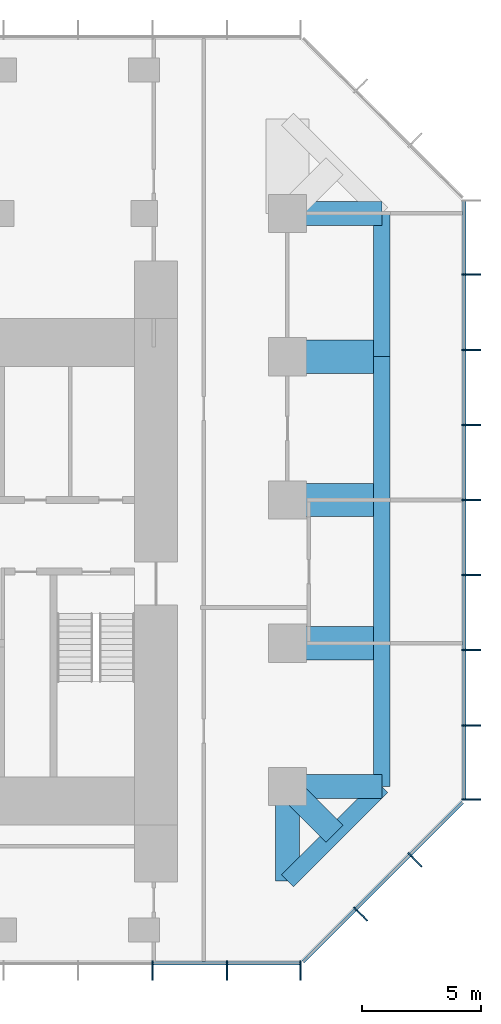
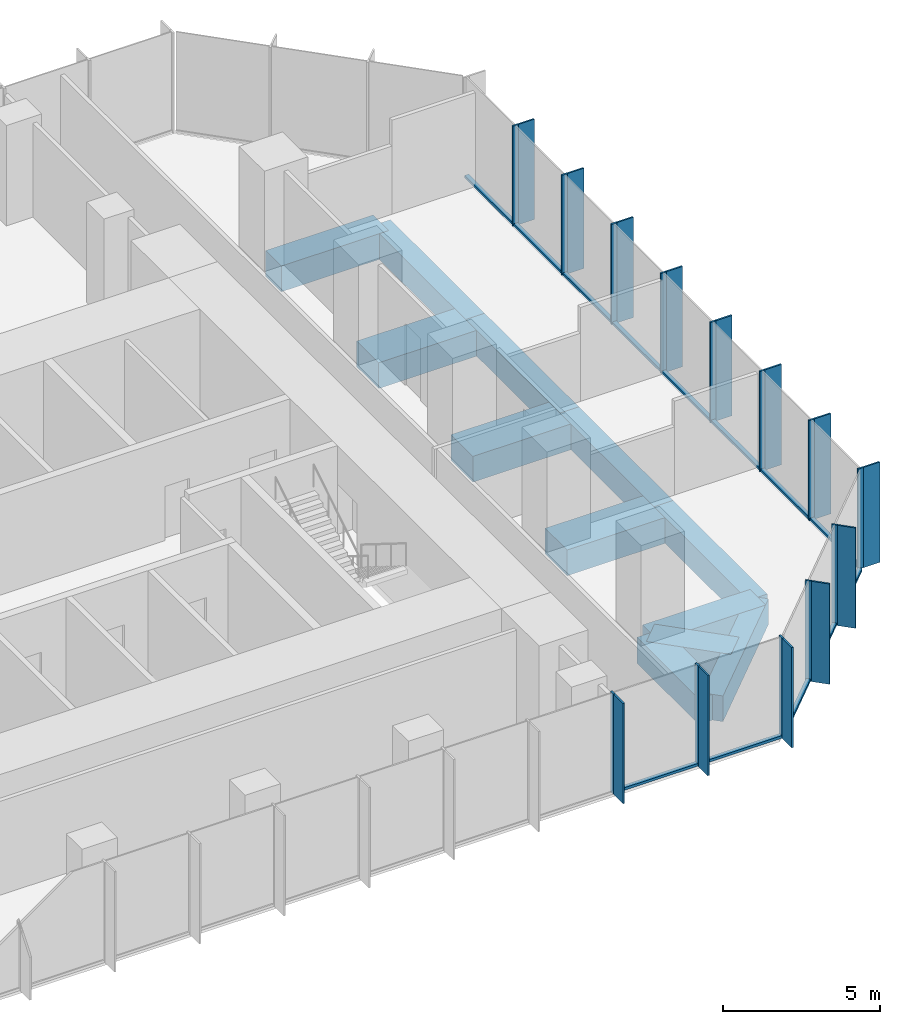
# One storey, part 4 of 10: 39 members, 12 beams, 3 elements without a shape of their own.
"""IFC4 building model written with IfcOpenShell, lengths in metres."""

import ifcopenshell
import ifcopenshell.guid

model = None  # the IFC model being written
_history = None  # IfcOwnerHistory: only IFC2X3 demands one
_inside = {}  # id of a spatial element -> (the spatial element, [elements in it])
_under = {}  # id of a project, library or spatial element -> (it, [spatial elements below it])
_declared = {}  # id of a project -> (the project, [libraries it declares])
_typed = {}  # id of a type object -> (the type object, [elements of that type])
_made_of = {}  # id of a material, layer set ... -> (it, [elements and type objects made of it])


def new_model(schema):
    """Start an empty IFC model of exactly this schema.

    Asked for "IFC4X3", IfcOpenShell would pick the latest addendum, in which some entities
    have other attributes; the version numbers below select the first issue.
    IFC2X3 requires an IfcOwnerHistory on every rooted entity: one is made here for all.
    """
    global model, _history
    if schema == "IFC4X3":
        model = ifcopenshell.file(schema_version=(4, 3, 0, 0))
    else:
        model = ifcopenshell.file(schema=schema)
    _inside.clear()
    _under.clear()
    _declared.clear()
    _typed.clear()
    _made_of.clear()
    _history = None
    if model.schema == "IFC2X3":
        org = make("IfcOrganization", Name="unknown")
        user = make(
            "IfcPersonAndOrganization",
            ThePerson=make("IfcPerson", FamilyName="unknown"),
            TheOrganization=org,
        )
        app = make(
            "IfcApplication",
            ApplicationDeveloper=org,
            Version="unknown",
            ApplicationFullName="unknown",
            ApplicationIdentifier="unknown",
        )
        _history = make(
            "IfcOwnerHistory",
            OwningUser=user,
            OwningApplication=app,
            ChangeAction="ADDED",
            CreationDate=0,
        )
    return model


def make(cls, **values):
    """One entity of the class cls with the attributes given. An attribute that is None is left unset."""
    return model.create_entity(
        cls, **{name: value for name, value in values.items() if value is not None}
    )


def rooted(cls, **values):
    """An entity with a GlobalId (a new one), such as an element, a storey or a relation."""
    return make(cls, GlobalId=ifcopenshell.guid.new(), OwnerHistory=_history, **values)


def si_unit(unit_type, name, prefix=None):
    """IfcSIUnit, for example si_unit("LENGTHUNIT", "METRE", prefix="MILLI")."""
    return make("IfcSIUnit", UnitType=unit_type, Prefix=prefix, Name=name)


def assignment(units):
    """IfcUnitAssignment: the units of a project."""
    return None if units is None else make("IfcUnitAssignment", Units=units)


def point(xyz):
    """IfcCartesianPoint."""
    return None if xyz is None else make("IfcCartesianPoint", Coordinates=xyz)


def direction(xyz):
    """IfcDirection."""
    return None if xyz is None else make("IfcDirection", DirectionRatios=xyz)


def frame(location, z_axis=None, x_axis=None):
    """IfcAxis2Placement3D, a coordinate frame: its origin and axes. An axis left out is left unset."""
    return make(
        "IfcAxis2Placement3D",
        Location=point(location),
        Axis=direction(z_axis),
        RefDirection=direction(x_axis),
    )


def frame_2d(location, x_axis=None):
    """IfcAxis2Placement2D, a coordinate frame in the plane: its origin and x axis."""
    return make(
        "IfcAxis2Placement2D", Location=point(location), RefDirection=direction(x_axis)
    )


def origin():
    """The frame at (0, 0, 0) with its axes left unset."""
    return frame((0.0, 0.0, 0.0))


def origin_2d():
    """The frame at (0, 0) in the plane with its x axis left unset."""
    return frame_2d((0.0, 0.0))


def place(relative_to, where):
    """IfcLocalPlacement: puts the frame where relative to a parent placement (None: the world)."""
    return make(
        "IfcLocalPlacement", PlacementRelTo=relative_to, RelativePlacement=where
    )


def context(
    kind, dimensions, precision=None, world=None, true_north=None, identifier=None
):
    """IfcGeometricRepresentationContext, for example the 3D "Model" context."""
    return make(
        "IfcGeometricRepresentationContext",
        ContextIdentifier=identifier,
        ContextType=kind,
        CoordinateSpaceDimension=dimensions,
        Precision=precision,
        WorldCoordinateSystem=world,
        TrueNorth=true_north,
    )


def subcontext(parent, identifier, kind, view, scale=None):
    """IfcGeometricRepresentationSubContext, for example "Body" below "Model"."""
    return make(
        "IfcGeometricRepresentationSubContext",
        ContextIdentifier=identifier,
        ContextType=kind,
        ParentContext=parent,
        TargetScale=scale,
        TargetView=view,
    )


def project(units=None, contexts=None):
    """IfcProject with its units and contexts."""
    return rooted(
        "IfcProject",
        Name="project",
        RepresentationContexts=contexts,
        UnitsInContext=assignment(units),
    )


def spatial(cls, under=None, at=None, **own):
    """A site, building, storey or space (cls), placed at a placement, below another one or the project."""
    s = rooted(cls, ObjectPlacement=at, **own)
    if under is not None:
        _under.setdefault(under.id(), (under, []))[1].append(s)
    return s


def profile(cls, at=None, kind="AREA", **sizes):
    """A parametric profile (cls). Its sizes go by their IFC names, for example OverallWidth=200.0."""
    return make(cls, ProfileType=kind, Position=at, **sizes)


def rectangle(**sizes):
    """IfcRectangleProfileDef."""
    return profile("IfcRectangleProfileDef", **sizes)


def extrude(swept, where, along, depth):
    """IfcExtrudedAreaSolid: the profile swept, set in the frame where, extruded along a direction by depth."""
    return make(
        "IfcExtrudedAreaSolid",
        SweptArea=swept,
        Position=where,
        ExtrudedDirection=direction(along),
        Depth=depth,
    )


def shape(context_of_items, identifier, shape_type, items):
    """IfcShapeRepresentation: the items that make up one representation, for example the "Body"."""
    return make(
        "IfcShapeRepresentation",
        ContextOfItems=context_of_items,
        RepresentationIdentifier=identifier,
        RepresentationType=shape_type,
        Items=items,
    )


def material(Name=None, Category=None):
    """IfcMaterial."""
    return make("IfcMaterial", Name=Name, Category=Category)


def layer(
    of_material, thickness, ventilated=None, Name=None, Category=None, Priority=None
):
    """IfcMaterialLayer: one layer of a wall or slab, of a material (None: an air gap)."""
    return make(
        "IfcMaterialLayer",
        Material=of_material,
        LayerThickness=thickness,
        IsVentilated=ventilated,
        Name=Name,
        Category=Category,
        Priority=Priority,
    )


def layer_set(layers, Name=None):
    """IfcMaterialLayerSet."""
    return make("IfcMaterialLayerSet", MaterialLayers=layers, LayerSetName=Name)


def material_profile(
    of_material, cross_section, Name=None, Category=None, Priority=None
):
    """IfcMaterialProfile: a cross section and its material."""
    return make(
        "IfcMaterialProfile",
        Name=Name,
        Material=of_material,
        Profile=cross_section,
        Priority=Priority,
        Category=Category,
    )


def profile_set(profiles, Name=None, composite=None):
    """IfcMaterialProfileSet."""
    return make(
        "IfcMaterialProfileSet",
        Name=Name,
        MaterialProfiles=profiles,
        CompositeProfile=composite,
    )


def made_of(thing, what):
    """Note that an element or type object is made of a material, layer set ...; save() writes the relation."""
    if what is not None:
        _made_of.setdefault(what.id(), (what, []))[1].append(thing)
    return thing


def type_object(cls, material=None, **own):
    """A type object (cls), such as IfcWallType, which elements share."""
    return made_of(rooted(cls, **own), material)


def element(
    cls,
    number,
    at=None,
    inside=None,
    cuts=None,
    type_object=None,
    material=None,
    context=None,
    identifier="Body",
    shape_type=None,
    held_by="IfcProductDefinitionShape",
    body=None,
    shapes=None,
    **own,
):
    """One element of the class cls, such as IfcWall. Its Tag is "e" and its number.

    at: its placement. inside: the storey or other place that contains it. cuts: it is an
    opening in that element (IfcRelVoidsElement). A single representation is given by context,
    identifier, shape_type and body (its items); several are given by shapes. held_by: the class
    of the entity that holds the representations. save() writes the other relations.
    """
    e = rooted(cls, Tag="e%d" % number, ObjectPlacement=at, **own)
    if body is not None:
        shapes = [shape(context, identifier, shape_type, body)]
    if shapes is not None:
        e.Representation = make(held_by, Representations=shapes)
    if inside is not None:
        _inside.setdefault(inside.id(), (inside, []))[1].append(e)
    if cuts is not None:
        rooted(
            "IfcRelVoidsElement", RelatingBuildingElement=cuts, RelatedOpeningElement=e
        )
    if type_object is not None:
        _typed.setdefault(type_object.id(), (type_object, []))[1].append(e)
    return made_of(e, material)


def aggregate(whole, parts):
    """IfcRelAggregates: a whole, such as a stair, and the parts it consists of."""
    return rooted("IfcRelAggregates", RelatingObject=whole, RelatedObjects=parts)


def save(model, path):
    """Write the relations noted so far, then the file.

    IfcRelAggregates (storeys below a building ...), IfcRelContainedInSpatialStructure (elements
    in a storey), IfcRelDefinesByType, IfcRelAssociatesMaterial and IfcRelDeclares: one each for
    every whole, place, type object, material and project.
    """
    for whole, parts in _under.values():
        aggregate(whole, parts)
    for where, things in _inside.values():
        rooted(
            "IfcRelContainedInSpatialStructure",
            RelatedElements=things,
            RelatingStructure=where,
        )
    for kind, things in _typed.values():
        rooted("IfcRelDefinesByType", RelatedObjects=things, RelatingType=kind)
    for what, things in _made_of.values():
        rooted("IfcRelAssociatesMaterial", RelatedObjects=things, RelatingMaterial=what)
    for by, libraries in _declared.values():
        rooted("IfcRelDeclares", RelatingContext=by, RelatedDefinitions=libraries)
    model.write(path)


model = new_model("IFC4")

# Units and contexts
model_context = context("Model", 3, precision=1e-05, world=origin(), true_north=direction((0.0, 1.0)))
body_context = subcontext(model_context, "Body", "Model", "MODEL_VIEW")
ifc_project = project(units=[si_unit("LENGTHUNIT", "METRE"), si_unit("AREAUNIT", "SQUARE_METRE"), si_unit("VOLUMEUNIT", "CUBIC_METRE"), si_unit("PLANEANGLEUNIT", "RADIAN"), si_unit("MASSUNIT", "GRAM", prefix="KILO")], contexts=[model_context])

# Site, building, storey
site_placement = place(None, origin())
site = spatial("IfcSite", under=ifc_project, at=site_placement, CompositionType="ELEMENT")
building_placement = place(site_placement, origin())
building = spatial("IfcBuilding", under=site, at=building_placement, Name="Highveld Stack Headquarters", CompositionType="ELEMENT")
storey_placement = place(building_placement, frame((0.0, 0.0, 256.699951171875)))
storey = spatial("IfcBuildingStorey", under=building, at=storey_placement, Name="L63", CompositionType="ELEMENT", Elevation=256.699951171875)

# Beams
ifc_material_1 = material(Name="Concrete C60/75", Category="concrete")
ifc_material_profile_1 = material_profile(ifc_material_1, rectangle(XDim=1.0, YDim=1.0, at=origin_2d()), Name="RC 1000x1000")
ifc_profile_set_1 = profile_set([ifc_material_profile_1], Name="Concrete C60/75")
beam_type_1 = type_object("IfcBeamType", Name="CANTILEVER RIB RC 1000x1000", PredefinedType="USERDEFINED", material=ifc_profile_set_1)
for number, where, z_axis, x_axis, name in (
    (1, (24.0, -6.0, -0.75), (1.0, 0.0, 0.0), (0.0, 1.0, 0.0), "Cantilever rib 10/D L63"),
    (2, (24.0, -6.0, -0.75), (0.0, -1.0, 0.0), (1.0, 0.0, 0.0), "Cantilever rib 10/D L63"),
):
    element("IfcBeam", number, at=place(storey_placement, frame(where, z_axis=z_axis, x_axis=x_axis)), inside=storey, type_object=beam_type_1, Name=name, ObjectType="CANTILEVER RIB", PredefinedType="USERDEFINED", context=body_context, shape_type="SweptSolid", body=[
        extrude(rectangle(XDim=1.0, YDim=1.0, at=origin_2d()), origin(), (0.0, 0.0, 1.0), 3.949951171875),
    ])
beam_1_placement = place(storey_placement, frame((24.0, -6.0, -0.75), z_axis=(0.707106781187, -0.707106781187, 0.0), x_axis=(0.707106781187, 0.707106781187, 0.0)))
element("IfcBeam", 3, at=beam_1_placement, inside=storey, type_object=beam_type_1, Name="Cantilever rib 10/D L63", ObjectType="CANTILEVER RIB", PredefinedType="USERDEFINED", context=body_context, shape_type="SweptSolid", body=[
    extrude(rectangle(XDim=1.0, YDim=1.0, at=origin_2d()), origin(), (0.0, 0.0, 1.0), 2.793212890625),
])
beam_2_placement = place(storey_placement, frame((24.0, 18.0, -0.75), z_axis=(1.0, 0.0, 0.0), x_axis=(0.0, 1.0, 0.0)))
element("IfcBeam", 4, at=beam_2_placement, inside=storey, type_object=beam_type_1, Name="Cantilever rib 10/H L63", ObjectType="CANTILEVER RIB", PredefinedType="USERDEFINED", context=body_context, shape_type="SweptSolid", body=[
    extrude(rectangle(XDim=1.0, YDim=1.0, at=origin_2d()), origin(), (0.0, 0.0, 1.0), 3.949951171875),
])
ifc_material_2 = material(Name="Concrete C60/75", Category="concrete")
ifc_material_profile_2 = material_profile(ifc_material_2, rectangle(XDim=1.39990234375, YDim=1.0, at=origin_2d()), Name="RC 1400x1000")
ifc_profile_set_2 = profile_set([ifc_material_profile_2], Name="Concrete C60/75")
beam_type_2 = type_object("IfcBeamType", Name="CANTILEVER RIB RC 1400x1000", PredefinedType="USERDEFINED", material=ifc_profile_set_2)
for number, where, z_axis, x_axis, name in (
    (5, (24.0, 0.0, -0.75), (1.0, 0.0, 0.0), (0.0, 1.0, 0.0), "Cantilever rib 10/E L63"),
    (6, (24.0, 6.0, -0.75), (1.0, 0.0, 0.0), (0.0, 1.0, 0.0), "Cantilever rib 10/F L63"),
    (7, (24.0, 12.0, -0.75), (1.0, 0.0, 0.0), (0.0, 1.0, 0.0), "Cantilever rib 10/G L63"),
):
    element("IfcBeam", number, at=place(storey_placement, frame(where, z_axis=z_axis, x_axis=x_axis)), inside=storey, type_object=beam_type_2, Name=name, ObjectType="CANTILEVER RIB", PredefinedType="USERDEFINED", context=body_context, shape_type="SweptSolid", body=[
        extrude(rectangle(XDim=1.39990234375, YDim=1.0, at=origin_2d()), origin(), (0.0, 0.0, 1.0), 3.949951171875),
    ])

# Curtain wall, members
ifc_material_3 = material(Name="Aluminium bronze anodised", Category="aluminium")
ifc_layer = layer(ifc_material_3, 0.199951171875)
ifc_layer_set = layer_set([ifc_layer], Name="Aluminium bronze anodised")
curtain_wall_type = type_object("IfcCurtainWallType", Name="CW5 EXECUTIVE UNITISED CURTAIN WALL", PredefinedType="NOTDEFINED", material=ifc_layer_set)
curtain_wall_1_placement = place(storey_placement, origin())
curtain_wall_1 = element("IfcCurtainWall", 8, at=curtain_wall_1_placement, inside=storey, type_object=curtain_wall_type, Name="Curtain wall CW5 L63 S", PredefinedType="NOTDEFINED")
ifc_material_4 = material(Name="Aluminium bronze anodised", Category="aluminium")
ifc_material_profile_3 = material_profile(ifc_material_4, rectangle(XDim=0.60009765625, YDim=0.06005859375, at=origin_2d()), Name="FIN 600x60")
ifc_profile_set_3 = profile_set([ifc_material_profile_3], Name="Aluminium bronze anodised")
member_type_1 = type_object("IfcMemberType", Name="CW5 BRONZE FIN 600x60", PredefinedType="USERDEFINED", material=ifc_profile_set_3)
member_1_placement = place(storey_placement, frame((18.347900390625, -13.800048828125, 0.0), z_axis=(0.0, 0.0, 1.0), x_axis=(0.0, 1.0, 0.0)))
member_1 = element("IfcMember", 9, at=member_1_placement, type_object=member_type_1, Name="CW5 fin L63 9", ObjectType="FIN", PredefinedType="USERDEFINED", context=body_context, shape_type="SweptSolid", body=[
    extrude(rectangle(XDim=0.60009765625, YDim=0.06005859375, at=origin_2d()), origin(), (0.0, 0.0, 1.0), 3.900146484375),
])
member_2_placement = place(storey_placement, frame((21.4638671875, -13.800048828125, 0.0), z_axis=(0.0, 0.0, 1.0), x_axis=(0.0, 1.0, 0.0)))
member_2 = element("IfcMember", 10, at=member_2_placement, type_object=member_type_1, Name="CW5 fin L63 10", ObjectType="FIN", PredefinedType="USERDEFINED", context=body_context, shape_type="SweptSolid", body=[
    extrude(rectangle(XDim=0.60009765625, YDim=0.06005859375, at=origin_2d()), origin(), (0.0, 0.0, 1.0), 3.900146484375),
])
member_3_placement = place(storey_placement, frame((24.54736328125, -13.800048828125, 0.0), z_axis=(0.0, 0.0, 1.0), x_axis=(0.0, 1.0, 0.0)))
member_3 = element("IfcMember", 11, at=member_3_placement, type_object=member_type_1, Name="CW5 fin L63 11", ObjectType="FIN", PredefinedType="USERDEFINED", context=body_context, shape_type="SweptSolid", body=[
    extrude(rectangle(XDim=0.60009765625, YDim=0.06005859375, at=origin_2d()), origin(), (0.0, 0.0, 1.0), 3.900146484375),
])

curtain_wall_2_placement = place(storey_placement, origin())
curtain_wall_2 = element("IfcCurtainWall", 12, at=curtain_wall_2_placement, inside=storey, type_object=curtain_wall_type, Name="Curtain wall CW5 L63 SE", PredefinedType="NOTDEFINED")
member_4_placement = place(storey_placement, frame((27.135986328125, -11.409423828125, 0.0), z_axis=(0.0, 0.0, 1.0), x_axis=(-0.707106781187, 0.707106781187, 0.0)))
member_4 = element("IfcMember", 13, at=member_4_placement, type_object=member_type_1, Name="CW5 fin L63 1", ObjectType="FIN", PredefinedType="USERDEFINED", context=body_context, shape_type="SweptSolid", body=[
    extrude(rectangle(XDim=0.60009765625, YDim=0.06005859375, at=origin_2d()), origin(), (0.0, 0.0, 1.0), 3.900146484375),
])
member_5_placement = place(storey_placement, frame((29.409423828125, -9.135986328125, 0.0), z_axis=(0.0, 0.0, 1.0), x_axis=(-0.707106781187, 0.707106781187, 0.0)))
member_5 = element("IfcMember", 14, at=member_5_placement, type_object=member_type_1, Name="CW5 fin L63 2", ObjectType="FIN", PredefinedType="USERDEFINED", context=body_context, shape_type="SweptSolid", body=[
    extrude(rectangle(XDim=0.60009765625, YDim=0.06005859375, at=origin_2d()), origin(), (0.0, 0.0, 1.0), 3.900146484375),
])

curtain_wall_3_placement = place(storey_placement, origin())
curtain_wall_3 = element("IfcCurtainWall", 15, at=curtain_wall_3_placement, inside=storey, type_object=curtain_wall_type, Name="Curtain wall CW5 L63 E", PredefinedType="NOTDEFINED")
member_6_placement = place(storey_placement, frame((31.800048828125, -6.54736328125, 0.0), z_axis=(0.0, 0.0, 1.0), x_axis=(-1.0, 0.0, 0.0)))
member_6 = element("IfcMember", 16, at=member_6_placement, type_object=member_type_1, Name="CW5 fin L63 1", ObjectType="FIN", PredefinedType="USERDEFINED", context=body_context, shape_type="SweptSolid", body=[
    extrude(rectangle(XDim=0.60009765625, YDim=0.06005859375, at=origin_2d()), origin(), (0.0, 0.0, 1.0), 3.900146484375),
])
member_7_placement = place(storey_placement, frame((31.800048828125, -3.434814453125, 0.0), z_axis=(0.0, 0.0, 1.0), x_axis=(-1.0, 0.0, 0.0)))
member_7 = element("IfcMember", 17, at=member_7_placement, type_object=member_type_1, Name="CW5 fin L63 2", ObjectType="FIN", PredefinedType="USERDEFINED", context=body_context, shape_type="SweptSolid", body=[
    extrude(rectangle(XDim=0.60009765625, YDim=0.06005859375, at=origin_2d()), origin(), (0.0, 0.0, 1.0), 3.900146484375),
])
member_8_placement = place(storey_placement, frame((31.800048828125, -0.2900390625, 0.0), z_axis=(0.0, 0.0, 1.0), x_axis=(-1.0, 0.0, 0.0)))
member_8 = element("IfcMember", 18, at=member_8_placement, type_object=member_type_1, Name="CW5 fin L63 3", ObjectType="FIN", PredefinedType="USERDEFINED", context=body_context, shape_type="SweptSolid", body=[
    extrude(rectangle(XDim=0.60009765625, YDim=0.06005859375, at=origin_2d()), origin(), (0.0, 0.0, 1.0), 3.900146484375),
])
member_9_placement = place(storey_placement, frame((31.800048828125, 2.85498046875, 0.0), z_axis=(0.0, 0.0, 1.0), x_axis=(-1.0, 0.0, 0.0)))
member_9 = element("IfcMember", 19, at=member_9_placement, type_object=member_type_1, Name="CW5 fin L63 4", ObjectType="FIN", PredefinedType="USERDEFINED", context=body_context, shape_type="SweptSolid", body=[
    extrude(rectangle(XDim=0.60009765625, YDim=0.06005859375, at=origin_2d()), origin(), (0.0, 0.0, 1.0), 3.900146484375),
])
member_10_placement = place(storey_placement, frame((31.800048828125, 6.0, 0.0), z_axis=(0.0, 0.0, 1.0), x_axis=(-1.0, 0.0, 0.0)))
member_10 = element("IfcMember", 20, at=member_10_placement, type_object=member_type_1, Name="CW5 fin L63 5", ObjectType="FIN", PredefinedType="USERDEFINED", context=body_context, shape_type="SweptSolid", body=[
    extrude(rectangle(XDim=0.60009765625, YDim=0.06005859375, at=origin_2d()), origin(), (0.0, 0.0, 1.0), 3.900146484375),
])
member_11_placement = place(storey_placement, frame((31.800048828125, 9.14501953125, 0.0), z_axis=(0.0, 0.0, 1.0), x_axis=(-1.0, 0.0, 0.0)))
member_11 = element("IfcMember", 21, at=member_11_placement, type_object=member_type_1, Name="CW5 fin L63 6", ObjectType="FIN", PredefinedType="USERDEFINED", context=body_context, shape_type="SweptSolid", body=[
    extrude(rectangle(XDim=0.60009765625, YDim=0.06005859375, at=origin_2d()), origin(), (0.0, 0.0, 1.0), 3.900146484375),
])
member_12_placement = place(storey_placement, frame((31.800048828125, 12.289794921875, 0.0), z_axis=(0.0, 0.0, 1.0), x_axis=(-1.0, 0.0, 0.0)))
member_12 = element("IfcMember", 22, at=member_12_placement, type_object=member_type_1, Name="CW5 fin L63 7", ObjectType="FIN", PredefinedType="USERDEFINED", context=body_context, shape_type="SweptSolid", body=[
    extrude(rectangle(XDim=0.60009765625, YDim=0.06005859375, at=origin_2d()), origin(), (0.0, 0.0, 1.0), 3.900146484375),
])
member_13_placement = place(storey_placement, frame((31.800048828125, 15.434814453125, 0.0), z_axis=(0.0, 0.0, 1.0), x_axis=(-1.0, 0.0, 0.0)))
member_13 = element("IfcMember", 23, at=member_13_placement, type_object=member_type_1, Name="CW5 fin L63 8", ObjectType="FIN", PredefinedType="USERDEFINED", context=body_context, shape_type="SweptSolid", body=[
    extrude(rectangle(XDim=0.60009765625, YDim=0.06005859375, at=origin_2d()), origin(), (0.0, 0.0, 1.0), 3.900146484375),
])

# Member
ifc_material_5 = material(Name="Aluminium bronze anodised", Category="aluminium")
ifc_material_profile_4 = material_profile(ifc_material_5, rectangle(XDim=0.199951171875, YDim=0.06494140625, at=origin_2d()), Name="CW5 MULLION 65x200")
ifc_profile_set_4 = profile_set([ifc_material_profile_4], Name="Aluminium bronze anodised")
member_type_2 = type_object("IfcMemberType", Name="CW5 MULLION 65x200", PredefinedType="MULLION", material=ifc_profile_set_4)
member_14_placement = place(storey_placement, frame((18.347900390625, -13.39990234375, 0.0), z_axis=(0.0, 0.0, 1.0), x_axis=(0.0, 1.0, 0.0)))
member_14 = element("IfcMember", 24, at=member_14_placement, type_object=member_type_2, Name="CW5 mullion L63 9", PredefinedType="MULLION", context=body_context, shape_type="SweptSolid", body=[
    extrude(rectangle(XDim=0.199951171875, YDim=0.06494140625, at=origin_2d()), origin(), (0.0, 0.0, 1.0), 3.900146484375),
])

member_15_placement = place(storey_placement, frame((21.4638671875, -13.39990234375, 0.0), z_axis=(0.0, 0.0, 1.0), x_axis=(0.0, 1.0, 0.0)))
member_15 = element("IfcMember", 25, at=member_15_placement, type_object=member_type_2, Name="CW5 mullion L63 10", PredefinedType="MULLION", context=body_context, shape_type="SweptSolid", body=[
    extrude(rectangle(XDim=0.199951171875, YDim=0.06494140625, at=origin_2d()), origin(), (0.0, 0.0, 1.0), 3.900146484375),
])

member_16_placement = place(storey_placement, frame((24.54736328125, -13.39990234375, 0.0), z_axis=(0.0, 0.0, 1.0), x_axis=(0.0, 1.0, 0.0)))
member_16 = element("IfcMember", 26, at=member_16_placement, type_object=member_type_2, Name="CW5 mullion L63 11", PredefinedType="MULLION", context=body_context, shape_type="SweptSolid", body=[
    extrude(rectangle(XDim=0.199951171875, YDim=0.06494140625, at=origin_2d()), origin(), (0.0, 0.0, 1.0), 3.900146484375),
])

member_17_placement = place(storey_placement, frame((26.853271484375, -11.126708984375, 0.0), z_axis=(0.0, 0.0, 1.0), x_axis=(-0.707106781187, 0.707106781187, 0.0)))
member_17 = element("IfcMember", 27, at=member_17_placement, type_object=member_type_2, Name="CW5 mullion L63 1", PredefinedType="MULLION", context=body_context, shape_type="SweptSolid", body=[
    extrude(rectangle(XDim=0.199951171875, YDim=0.06494140625, at=origin_2d()), origin(), (0.0, 0.0, 1.0), 3.900146484375),
])

member_18_placement = place(storey_placement, frame((29.126708984375, -8.853271484375, 0.0), z_axis=(0.0, 0.0, 1.0), x_axis=(-0.707106781187, 0.707106781187, 0.0)))
member_18 = element("IfcMember", 28, at=member_18_placement, type_object=member_type_2, Name="CW5 mullion L63 2", PredefinedType="MULLION", context=body_context, shape_type="SweptSolid", body=[
    extrude(rectangle(XDim=0.199951171875, YDim=0.06494140625, at=origin_2d()), origin(), (0.0, 0.0, 1.0), 3.900146484375),
])

member_19_placement = place(storey_placement, frame((31.39990234375, -6.54736328125, 0.0), z_axis=(0.0, 0.0, 1.0), x_axis=(-1.0, 0.0, 0.0)))
member_19 = element("IfcMember", 29, at=member_19_placement, type_object=member_type_2, Name="CW5 mullion L63 1", PredefinedType="MULLION", context=body_context, shape_type="SweptSolid", body=[
    extrude(rectangle(XDim=0.199951171875, YDim=0.06494140625, at=origin_2d()), origin(), (0.0, 0.0, 1.0), 3.900146484375),
])

member_20_placement = place(storey_placement, frame((31.39990234375, -3.434814453125, 0.0), z_axis=(0.0, 0.0, 1.0), x_axis=(-1.0, 0.0, 0.0)))
member_20 = element("IfcMember", 30, at=member_20_placement, type_object=member_type_2, Name="CW5 mullion L63 2", PredefinedType="MULLION", context=body_context, shape_type="SweptSolid", body=[
    extrude(rectangle(XDim=0.199951171875, YDim=0.06494140625, at=origin_2d()), origin(), (0.0, 0.0, 1.0), 3.900146484375),
])

member_21_placement = place(storey_placement, frame((31.39990234375, -0.2900390625, 0.0), z_axis=(0.0, 0.0, 1.0), x_axis=(-1.0, 0.0, 0.0)))
member_21 = element("IfcMember", 31, at=member_21_placement, type_object=member_type_2, Name="CW5 mullion L63 3", PredefinedType="MULLION", context=body_context, shape_type="SweptSolid", body=[
    extrude(rectangle(XDim=0.199951171875, YDim=0.06494140625, at=origin_2d()), origin(), (0.0, 0.0, 1.0), 3.900146484375),
])

member_22_placement = place(storey_placement, frame((31.39990234375, 2.85498046875, 0.0), z_axis=(0.0, 0.0, 1.0), x_axis=(-1.0, 0.0, 0.0)))
member_22 = element("IfcMember", 32, at=member_22_placement, type_object=member_type_2, Name="CW5 mullion L63 4", PredefinedType="MULLION", context=body_context, shape_type="SweptSolid", body=[
    extrude(rectangle(XDim=0.199951171875, YDim=0.06494140625, at=origin_2d()), origin(), (0.0, 0.0, 1.0), 3.900146484375),
])

member_23_placement = place(storey_placement, frame((31.39990234375, 6.0, 0.0), z_axis=(0.0, 0.0, 1.0), x_axis=(-1.0, 0.0, 0.0)))
member_23 = element("IfcMember", 33, at=member_23_placement, type_object=member_type_2, Name="CW5 mullion L63 5", PredefinedType="MULLION", context=body_context, shape_type="SweptSolid", body=[
    extrude(rectangle(XDim=0.199951171875, YDim=0.06494140625, at=origin_2d()), origin(), (0.0, 0.0, 1.0), 3.900146484375),
])

member_24_placement = place(storey_placement, frame((31.39990234375, 9.14501953125, 0.0), z_axis=(0.0, 0.0, 1.0), x_axis=(-1.0, 0.0, 0.0)))
member_24 = element("IfcMember", 34, at=member_24_placement, type_object=member_type_2, Name="CW5 mullion L63 6", PredefinedType="MULLION", context=body_context, shape_type="SweptSolid", body=[
    extrude(rectangle(XDim=0.199951171875, YDim=0.06494140625, at=origin_2d()), origin(), (0.0, 0.0, 1.0), 3.900146484375),
])

member_25_placement = place(storey_placement, frame((31.39990234375, 12.289794921875, 0.0), z_axis=(0.0, 0.0, 1.0), x_axis=(-1.0, 0.0, 0.0)))
member_25 = element("IfcMember", 35, at=member_25_placement, type_object=member_type_2, Name="CW5 mullion L63 7", PredefinedType="MULLION", context=body_context, shape_type="SweptSolid", body=[
    extrude(rectangle(XDim=0.199951171875, YDim=0.06494140625, at=origin_2d()), origin(), (0.0, 0.0, 1.0), 3.900146484375),
])

member_26_placement = place(storey_placement, frame((31.39990234375, 15.434814453125, 0.0), z_axis=(0.0, 0.0, 1.0), x_axis=(-1.0, 0.0, 0.0)))
member_26 = element("IfcMember", 36, at=member_26_placement, type_object=member_type_2, Name="CW5 mullion L63 8", PredefinedType="MULLION", context=body_context, shape_type="SweptSolid", body=[
    extrude(rectangle(XDim=0.199951171875, YDim=0.06494140625, at=origin_2d()), origin(), (0.0, 0.0, 1.0), 3.900146484375),
])

ifc_material_6 = material(Name="Aluminium bronze anodised", Category="aluminium")
ifc_material_profile_5 = material_profile(ifc_material_6, rectangle(XDim=0.14990234375, YDim=0.10009765625, at=origin_2d()), Name="CW5 TRANSOM 150x100")
ifc_profile_set_5 = profile_set([ifc_material_profile_5], Name="Aluminium bronze anodised")
member_type_3 = type_object("IfcMemberType", Name="CW5 STACK TRANSOM 150x100", PredefinedType="USERDEFINED", material=ifc_profile_set_5)
member_27_placement = place(storey_placement, frame((18.38037109375, -13.39990234375, 0.050048828125), z_axis=(1.0, 0.0, 0.0), x_axis=(0.0, 1.0, 0.0)))
member_27 = element("IfcMember", 37, at=member_27_placement, type_object=member_type_3, Name="CW5 transom L63 9.1", ObjectType="TRANSOM", PredefinedType="USERDEFINED", context=body_context, shape_type="SweptSolid", body=[
    extrude(rectangle(XDim=0.14990234375, YDim=0.10009765625, at=origin_2d()), origin(), (0.0, 0.0, 1.0), 3.051025390625),
])

member_28_placement = place(storey_placement, frame((21.496337890625, -13.39990234375, 0.050048828125), z_axis=(1.0, 0.0, 0.0), x_axis=(0.0, 1.0, 0.0)))
member_28 = element("IfcMember", 38, at=member_28_placement, type_object=member_type_3, Name="CW5 transom L63 10.1", ObjectType="TRANSOM", PredefinedType="USERDEFINED", context=body_context, shape_type="SweptSolid", body=[
    extrude(rectangle(XDim=0.14990234375, YDim=0.10009765625, at=origin_2d()), origin(), (0.0, 0.0, 1.0), 3.0185546875),
])

aggregate(curtain_wall_1, [member_14, member_1, member_15, member_2, member_16, member_3, member_27, member_28])

member_29_placement = place(storey_placement, frame((24.650634765625, -13.329345703125, 0.050048828125), z_axis=(0.707106781187, 0.707106781187, 0.0), x_axis=(-0.707106781187, 0.707106781187, 0.0)))
member_29 = element("IfcMember", 39, at=member_29_placement, type_object=member_type_3, Name="CW5 transom L63 1.1", ObjectType="TRANSOM", PredefinedType="USERDEFINED", context=body_context, shape_type="SweptSolid", body=[
    extrude(rectangle(XDim=0.14990234375, YDim=0.10009765625, at=origin_2d()), origin(), (0.0, 0.0, 1.0), 3.08251953125),
])

member_30_placement = place(storey_placement, frame((26.876220703125, -11.103759765625, 0.050048828125), z_axis=(0.707106781187, 0.707106781187, 0.0), x_axis=(-0.707106781187, 0.707106781187, 0.0)))
member_30 = element("IfcMember", 40, at=member_30_placement, type_object=member_type_3, Name="CW5 transom L63 2.1", ObjectType="TRANSOM", PredefinedType="USERDEFINED", context=body_context, shape_type="SweptSolid", body=[
    extrude(rectangle(XDim=0.14990234375, YDim=0.10009765625, at=origin_2d()), origin(), (0.0, 0.0, 1.0), 3.150146484375),
])

member_31_placement = place(storey_placement, frame((29.149658203125, -8.830322265625, 0.050048828125), z_axis=(0.707106781187, 0.707106781187, 0.0), x_axis=(-0.707106781187, 0.707106781187, 0.0)))
member_31 = element("IfcMember", 41, at=member_31_placement, type_object=member_type_3, Name="CW5 transom L63 3.1", ObjectType="TRANSOM", PredefinedType="USERDEFINED", context=body_context, shape_type="SweptSolid", body=[
    extrude(rectangle(XDim=0.14990234375, YDim=0.10009765625, at=origin_2d()), origin(), (0.0, 0.0, 1.0), 3.08251953125),
])

aggregate(curtain_wall_2, [member_17, member_4, member_18, member_5, member_29, member_30, member_31])

member_32_placement = place(storey_placement, frame((31.39990234375, -6.514892578125, 0.050048828125), z_axis=(0.0, 1.0, 0.0), x_axis=(-1.0, 0.0, 0.0)))
member_32 = element("IfcMember", 42, at=member_32_placement, type_object=member_type_3, Name="CW5 transom L63 1.1", ObjectType="TRANSOM", PredefinedType="USERDEFINED", context=body_context, shape_type="SweptSolid", body=[
    extrude(rectangle(XDim=0.14990234375, YDim=0.10009765625, at=origin_2d()), origin(), (0.0, 0.0, 1.0), 3.047607421875),
])

member_33_placement = place(storey_placement, frame((31.39990234375, -3.40234375, 0.050048828125), z_axis=(0.0, 1.0, 0.0), x_axis=(-1.0, 0.0, 0.0)))
member_33 = element("IfcMember", 43, at=member_33_placement, type_object=member_type_3, Name="CW5 transom L63 2.1", ObjectType="TRANSOM", PredefinedType="USERDEFINED", context=body_context, shape_type="SweptSolid", body=[
    extrude(rectangle(XDim=0.14990234375, YDim=0.10009765625, at=origin_2d()), origin(), (0.0, 0.0, 1.0), 3.079833984375),
])

member_34_placement = place(storey_placement, frame((31.39990234375, -0.257568359375, 0.050048828125), z_axis=(0.0, 1.0, 0.0), x_axis=(-1.0, 0.0, 0.0)))
member_34 = element("IfcMember", 44, at=member_34_placement, type_object=member_type_3, Name="CW5 transom L63 3.1", ObjectType="TRANSOM", PredefinedType="USERDEFINED", context=body_context, shape_type="SweptSolid", body=[
    extrude(rectangle(XDim=0.14990234375, YDim=0.10009765625, at=origin_2d()), origin(), (0.0, 0.0, 1.0), 3.080078125),
])

member_35_placement = place(storey_placement, frame((31.39990234375, 2.887451171875, 0.050048828125), z_axis=(0.0, 1.0, 0.0), x_axis=(-1.0, 0.0, 0.0)))
member_35 = element("IfcMember", 45, at=member_35_placement, type_object=member_type_3, Name="CW5 transom L63 4.1", ObjectType="TRANSOM", PredefinedType="USERDEFINED", context=body_context, shape_type="SweptSolid", body=[
    extrude(rectangle(XDim=0.14990234375, YDim=0.10009765625, at=origin_2d()), origin(), (0.0, 0.0, 1.0), 3.080078125),
])

member_36_placement = place(storey_placement, frame((31.39990234375, 6.032470703125, 0.050048828125), z_axis=(0.0, 1.0, 0.0), x_axis=(-1.0, 0.0, 0.0)))
member_36 = element("IfcMember", 46, at=member_36_placement, type_object=member_type_3, Name="CW5 transom L63 5.1", ObjectType="TRANSOM", PredefinedType="USERDEFINED", context=body_context, shape_type="SweptSolid", body=[
    extrude(rectangle(XDim=0.14990234375, YDim=0.10009765625, at=origin_2d()), origin(), (0.0, 0.0, 1.0), 3.080078125),
])

member_37_placement = place(storey_placement, frame((31.39990234375, 9.177490234375, 0.050048828125), z_axis=(0.0, 1.0, 0.0), x_axis=(-1.0, 0.0, 0.0)))
member_37 = element("IfcMember", 47, at=member_37_placement, type_object=member_type_3, Name="CW5 transom L63 6.1", ObjectType="TRANSOM", PredefinedType="USERDEFINED", context=body_context, shape_type="SweptSolid", body=[
    extrude(rectangle(XDim=0.14990234375, YDim=0.10009765625, at=origin_2d()), origin(), (0.0, 0.0, 1.0), 3.080078125),
])

member_38_placement = place(storey_placement, frame((31.39990234375, 12.322509765625, 0.050048828125), z_axis=(0.0, 1.0, 0.0), x_axis=(-1.0, 0.0, 0.0)))
member_38 = element("IfcMember", 48, at=member_38_placement, type_object=member_type_3, Name="CW5 transom L63 7.1", ObjectType="TRANSOM", PredefinedType="USERDEFINED", context=body_context, shape_type="SweptSolid", body=[
    extrude(rectangle(XDim=0.14990234375, YDim=0.10009765625, at=origin_2d()), origin(), (0.0, 0.0, 1.0), 3.079833984375),
])

member_39_placement = place(storey_placement, frame((31.39990234375, 15.46728515625, 0.050048828125), z_axis=(0.0, 1.0, 0.0), x_axis=(-1.0, 0.0, 0.0)))
member_39 = element("IfcMember", 49, at=member_39_placement, type_object=member_type_3, Name="CW5 transom L63 8.1", ObjectType="TRANSOM", PredefinedType="USERDEFINED", context=body_context, shape_type="SweptSolid", body=[
    extrude(rectangle(XDim=0.14990234375, YDim=0.10009765625, at=origin_2d()), origin(), (0.0, 0.0, 1.0), 3.047607421875),
])

aggregate(curtain_wall_3, [member_19, member_6, member_20, member_7, member_21, member_8, member_22, member_9, member_23, member_10, member_24, member_11, member_25, member_12, member_26, member_13, member_32, member_33, member_34, member_35, member_36, member_37, member_38, member_39])

# Beams
ifc_material_7 = material(Name="Concrete C60/75", Category="concrete")
ifc_material_profile_6 = material_profile(ifc_material_7, rectangle(XDim=0.699951171875, YDim=1.0, at=origin_2d()), Name="RC 700x1000")
ifc_profile_set_6 = profile_set([ifc_material_profile_6], Name="Concrete C60/75")
beam_type_3 = type_object("IfcBeamType", Name="RIB TIP BEAM RC 700x1000", PredefinedType="SPANDREL", material=ifc_profile_set_6)
for number, where, z_axis, x_axis, name in (
    (50, (27.949951171875, -6.0, -0.75), (0.0, 1.0, 0.0), (-1.0, 0.0, 0.0), "Rib tip beam 10/D to 10/E L63"),
    (51, (27.949951171875, 0.0, -0.75), (0.0, 1.0, 0.0), (-1.0, 0.0, 0.0), "Rib tip beam 10/E to 10/F L63"),
    (52, (27.949951171875, 6.0, -0.75), (0.0, 1.0, 0.0), (-1.0, 0.0, 0.0), "Rib tip beam 10/F to 10/G L63"),
    (53, (27.949951171875, 12.0, -0.75), (0.0, 1.0, 0.0), (-1.0, 0.0, 0.0), "Rib tip beam 10/G to 10/H L63"),
):
    element("IfcBeam", number, at=place(storey_placement, frame(where, z_axis=z_axis, x_axis=x_axis)), inside=storey, type_object=beam_type_3, Name=name, PredefinedType="SPANDREL", context=body_context, shape_type="SweptSolid", body=[
        extrude(rectangle(XDim=0.699951171875, YDim=1.0, at=origin_2d()), origin(), (0.0, 0.0, 1.0), 6.0),
    ])
beam_3_placement = place(storey_placement, frame((27.949951171875, -6.0, -0.75), z_axis=(-0.707106781187, -0.707106781187, 0.0), x_axis=(0.707106781187, -0.707106781187, 0.0)))
element("IfcBeam", 54, at=beam_3_placement, inside=storey, type_object=beam_type_3, Name="Rib tip beam 10/D corner L63", PredefinedType="SPANDREL", context=body_context, shape_type="SweptSolid", body=[
    extrude(rectangle(XDim=0.699951171875, YDim=1.0, at=origin_2d()), origin(), (0.0, 0.0, 1.0), 5.586181640625),
])

save(model, "model.ifc")
